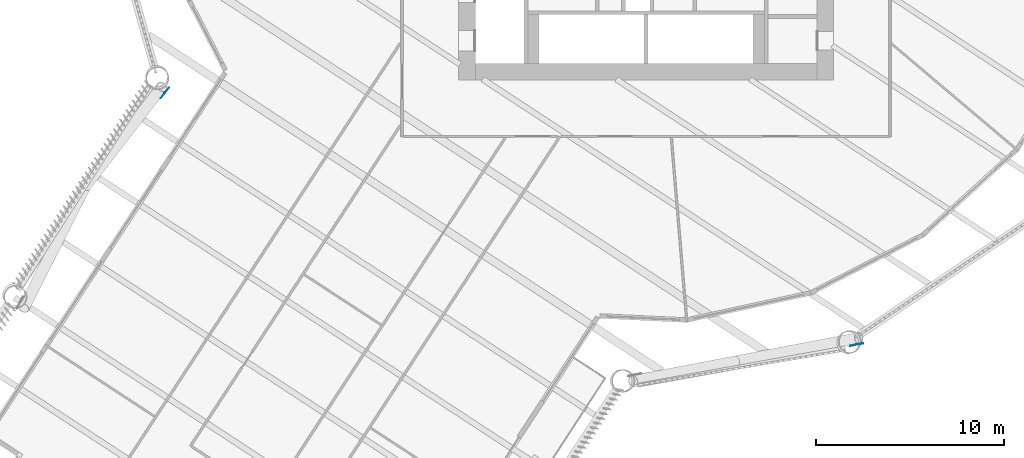
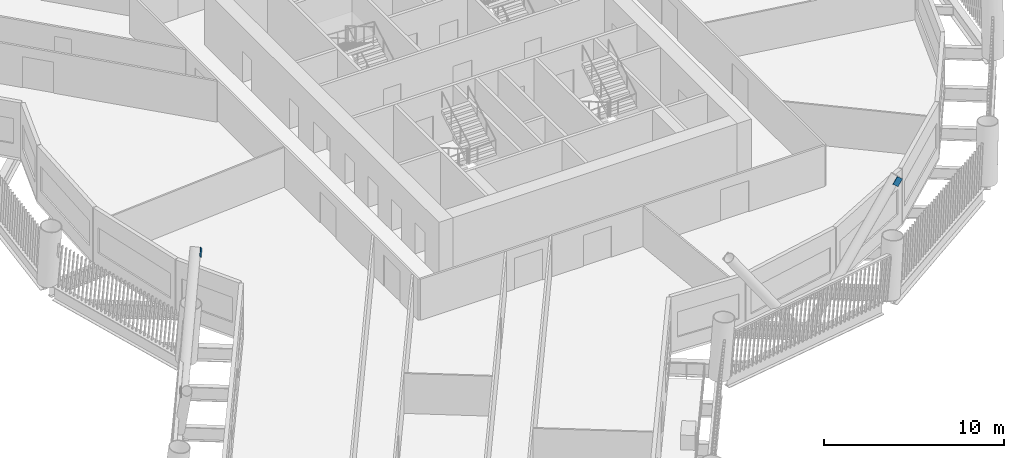
# One storey, part 10 of 22: 2 discrete accessories.
"""IFC4 building model written with IfcOpenShell, lengths in metres."""

from ifc_helpers import new_model, si_unit, direction, frame, origin, origin_2d, place, context, subcontext, project, spatial, rectangle, extrude, material, material_profile, profile_set, type_object, element, save


model = new_model("IFC4")

# Units and contexts
model_context = context("Model", 3, precision=1e-05, world=origin(), true_north=direction((0.0, 1.0)))
body_context = subcontext(model_context, "Body", "Model", "MODEL_VIEW")
ifc_project = project(units=[si_unit("LENGTHUNIT", "METRE"), si_unit("AREAUNIT", "SQUARE_METRE"), si_unit("VOLUMEUNIT", "CUBIC_METRE"), si_unit("PLANEANGLEUNIT", "RADIAN"), si_unit("MASSUNIT", "GRAM", prefix="KILO")], contexts=[model_context])

# Site, building, storey
site_placement = place(None, origin())
site = spatial("IfcSite", under=ifc_project, at=site_placement, CompositionType="ELEMENT")
building_placement = place(site_placement, origin())
building = spatial("IfcBuilding", under=site, at=building_placement, Name="Tarsis Ring Headquarters", CompositionType="ELEMENT")
storey_placement = place(building_placement, frame((0.0, 0.0, 63.39990234375)))
storey = spatial("IfcBuildingStorey", under=building, at=storey_placement, Name="L13", CompositionType="ELEMENT", Elevation=63.39990234375)

# Discrete accessories
ifc_material = material(Name="Structural steel S355", Category="steel")
ifc_material_profile = material_profile(ifc_material, rectangle(XDim=0.02490234375, YDim=0.5, at=origin_2d()), Name="PL 25x500")
ifc_profile_set = profile_set([ifc_material_profile], Name="Structural steel S355")
discrete_accessory_type = type_object("IfcDiscreteAccessoryType", Name="Gusset plate Exo brace 25", PredefinedType="BRACKET", material=ifc_profile_set)
discrete_accessory_1_placement = place(storey_placement, frame((-25.545654296875, -13.548828125, 7.800048828125), z_axis=(-0.39790776333, -0.513618364445, -0.760174708594), x_axis=(0.790524191901, -0.612430814068, 0.0)))
element("IfcDiscreteAccessory", 1, at=discrete_accessory_1_placement, inside=storey, type_object=discrete_accessory_type, Name="Gusset plate GP5", PredefinedType="BRACKET", context=body_context, shape_type="SweptSolid", body=[
    extrude(rectangle(XDim=0.02490234375, YDim=0.5, at=origin_2d()), origin(), (0.0, 0.0, 1.0), 0.5),
])
discrete_accessory_2_placement = place(storey_placement, frame((11.396484375, -27.056396484375, 7.800048828125), z_axis=(-0.64128408664, -0.122102834471, -0.757525985057), x_axis=(0.187043347514, -0.982351661143, 0.0)))
element("IfcDiscreteAccessory", 2, at=discrete_accessory_2_placement, inside=storey, type_object=discrete_accessory_type, Name="Gusset plate GP5", PredefinedType="BRACKET", context=body_context, shape_type="SweptSolid", body=[
    extrude(rectangle(XDim=0.02490234375, YDim=0.5, at=origin_2d()), origin(), (0.0, 0.0, 1.0), 0.499755859375),
])

save(model, "model.ifc")
